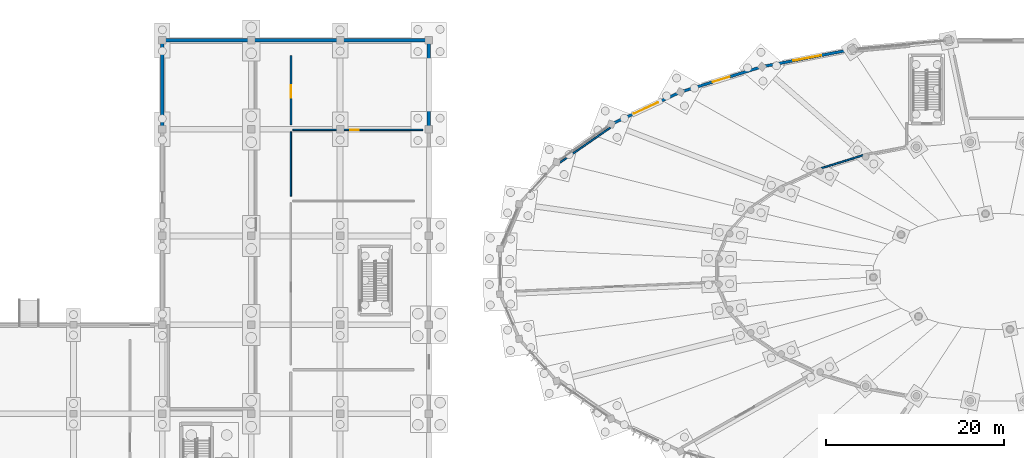
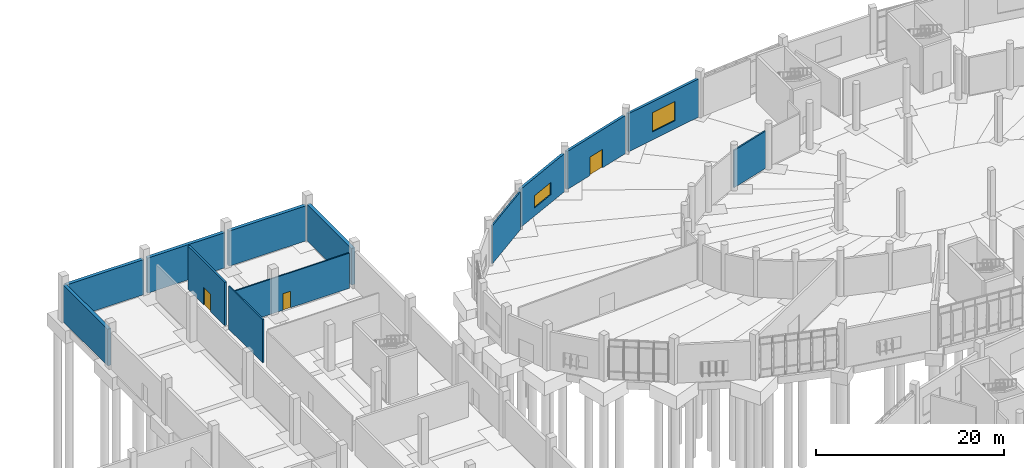
# One storey, part 94 of 140: 13 walls, 3 doors, 2 windows, 5 openings.
"""IFC4 building model written with IfcOpenShell, lengths in metres."""

from ifc_helpers import new_model, si_unit, direction, frame, frame_2d, origin, place, context, subcontext, project, spatial, rectangle, extrude, material, layer, layer_set, type_object, element, fill, save


model = new_model("IFC4")

# Units and contexts
model_context = context("Model", 3, precision=1e-05, world=origin(), true_north=direction((0.0, 1.0)))
body_context = subcontext(model_context, "Body", "Model", "MODEL_VIEW")
ifc_project = project(units=[si_unit("LENGTHUNIT", "METRE"), si_unit("AREAUNIT", "SQUARE_METRE"), si_unit("VOLUMEUNIT", "CUBIC_METRE"), si_unit("PLANEANGLEUNIT", "RADIAN"), si_unit("MASSUNIT", "GRAM", prefix="KILO")], contexts=[model_context])

# Site, building, storey
site_placement = place(None, origin())
site = spatial("IfcSite", under=ifc_project, at=site_placement, CompositionType="ELEMENT")
building_placement = place(site_placement, origin())
building = spatial("IfcBuilding", under=site, at=building_placement, Name="Corvandel Quay Wholesale Market", CompositionType="ELEMENT")
storey_placement = place(building_placement, origin())
storey = spatial("IfcBuildingStorey", under=building, at=storey_placement, Name="L00", CompositionType="ELEMENT", Elevation=0.0)

# Wall, opening, door
ifc_material_1 = material(Name="Lightweight concrete blockwork", Category="masonry")
ifc_layer_1 = layer(ifc_material_1, 0.239990234375)
ifc_layer_set_1 = layer_set([ifc_layer_1], Name="Lightweight concrete blockwork")
wall_type_1 = type_object("IfcWallType", Name="Fire Compartment Partition PT01 240", PredefinedType="PARTITIONING", material=ifc_layer_set_1)
wall_1_placement = place(storey_placement, frame((34.4599609375, 132.47998046875, 0.0), z_axis=(0.0, 0.0, 1.0), x_axis=(0.0, 1.0, 0.0)))
wall_1 = element("IfcWall", 1, at=wall_1_placement, inside=storey, type_object=wall_type_1, Name="Interior Wall IW-0787", PredefinedType="PARTITIONING", context=body_context, shape_type="SweptSolid", body=[
    extrude(rectangle(XDim=7.85009765625, YDim=0.239990234375, at=frame_2d((3.925048828125, 0.0))), origin(), (0.0, 0.0, 1.0), 5.6201171875),
])
opening_1_placement = place(wall_1_placement, frame((3.074951171875, 0.0, 0.0)))
opening_1 = element("IfcOpeningElement", 2, at=opening_1_placement, cuts=wall_1, Name="Opening L00-D119", PredefinedType="OPENING", context=body_context, shape_type="SweptSolid", body=[
    extrude(rectangle(XDim=1.39990234375, YDim=2.25, at=frame_2d((0.699951171875, 1.125))), frame((0.0, 0.1298828125, 0.0), z_axis=(0.0, -1.0, 0.0), x_axis=(1.0, 0.0, 0.0)), (0.0, 0.0, 1.0), 0.260009765625),
])
ifc_material_2 = material(Name="Acoustic louvred fire-rated steel", Category="steel")
door_type_1 = type_object("IfcDoorType", Name="Plant Room Fire Door ID15 1400x2250L", OperationType="SINGLE_SWING_LEFT", PredefinedType="DOOR", material=ifc_material_2)
door_1_placement = place(opening_1_placement, origin())
door_1 = element("IfcDoor", 3, at=door_1_placement, inside=storey, type_object=door_type_1, Name="Emergency Generator Room Door", OperationType="SINGLE_SWING_LEFT", OverallHeight=2.25, OverallWidth=1.39990234375, PredefinedType="DOOR", context=body_context, shape_type="SweptSolid", body=[
    extrude(rectangle(XDim=1.39990234375, YDim=2.25, at=frame_2d((0.699951171875, 1.125))), frame((0.0, 0.02490234375, 0.0), z_axis=(0.0, -1.0, 0.0), x_axis=(1.0, 0.0, 0.0)), (0.0, 0.0, 1.0), 0.050048828125),
])
fill(opening_1, door_1)

# Wall, opening, window
ifc_material_3 = material(Name="Marine precast concrete C45/55", Category="concrete")
ifc_layer_2 = layer(ifc_material_3, 0.31005859375)
ifc_layer_set_2 = layer_set([ifc_layer_2], Name="Marine precast concrete C45/55")
wall_type_2 = type_object("IfcWallType", Name="Fish Hall Marine Precast Wall EW06 310", PredefinedType="SOLIDWALL", material=ifc_layer_set_2)
wall_2_placement = place(storey_placement, frame((97.42919921875, 140.955810546875, 0.0), z_axis=(0.0, 0.0, 1.0), x_axis=(-0.981997121081, -0.188895881873, 0.0)))
wall_2 = element("IfcWall", 4, at=wall_2_placement, inside=storey, type_object=wall_type_2, Name="Exterior Wall EW-0108", PredefinedType="SOLIDWALL", context=body_context, shape_type="SweptSolid", body=[
    extrude(rectangle(XDim=9.897705078125, YDim=0.31005859375, at=frame_2d((4.94873046875, 0.0))), origin(), (0.0, 0.0, 1.0), 4.949951171875),
])
opening_2_placement = place(wall_2_placement, frame((3.34912109375, 0.0, 1.050048828125)))
opening_2 = element("IfcOpeningElement", 5, at=opening_2_placement, cuts=wall_2, Name="Opening L00-W056", PredefinedType="OPENING", context=body_context, shape_type="SweptSolid", body=[
    extrude(rectangle(XDim=3.199951171875, YDim=2.5, at=frame_2d((1.60009765625, 1.25))), frame((0.0, 0.1650390625, 0.0), z_axis=(0.0, -1.0, 0.0), x_axis=(1.0, 0.0, 0.0)), (0.0, 0.0, 1.0), 0.330078125),
])
ifc_material_4 = material(Name="Thermally broken bronze anodised aluminium and solar-control low-E double glazing", Category="aluminium")
window_type_1 = type_object("IfcWindowType", Name="Flower Market Display Window WN07 3200x2500", PartitioningType="SINGLE_PANEL", PredefinedType="WINDOW", material=ifc_material_4)
window_1_placement = place(opening_2_placement, origin())
window_1 = element("IfcWindow", 6, at=window_1_placement, inside=storey, type_object=window_type_1, Name="Window L00-W056", OverallHeight=2.5, OverallWidth=3.199951171875, PartitioningType="SINGLE_PANEL", PredefinedType="WINDOW", context=body_context, shape_type="SweptSolid", body=[
    extrude(rectangle(XDim=3.199951171875, YDim=2.5, at=frame_2d((1.60009765625, 1.25))), frame((0.0, 0.030029296875, 0.0), z_axis=(0.0, -1.0, 0.0), x_axis=(1.0, 0.0, 0.0)), (0.0, 0.0, 1.0), 0.06005859375),
])
fill(opening_2, window_1)

# Wall, opening, door
wall_3_placement = place(storey_placement, frame((87.244873046875, 138.969970703125, 0.0), z_axis=(0.0, 0.0, 1.0), x_axis=(-0.955105922322, -0.296264539128, 0.0)))
wall_3 = element("IfcWall", 7, at=wall_3_placement, inside=storey, type_object=wall_type_2, Name="Exterior Wall EW-0110", PredefinedType="SOLIDWALL", context=body_context, shape_type="SweptSolid", body=[
    extrude(rectangle(XDim=9.123291015625, YDim=0.31005859375, at=frame_2d((4.5615234375, 0.0))), origin(), (0.0, 0.0, 1.0), 4.949951171875),
])
opening_3_placement = place(wall_3_placement, frame((3.56201171875, 0.0, 0.0)))
opening_3 = element("IfcOpeningElement", 8, at=opening_3_placement, cuts=wall_3, Name="Opening L00-D018", PredefinedType="OPENING", context=body_context, shape_type="SweptSolid", body=[
    extrude(rectangle(XDim=2.0, YDim=2.39990234375, at=frame_2d((1.0, 1.199951171875))), frame((0.0, 0.1650390625, 0.0), z_axis=(0.0, -1.0, 0.0), x_axis=(1.0, 0.0, 0.0)), (0.0, 0.0, 1.0), 0.330078125),
])
ifc_material_5 = material(Name="Bronze anodised aluminium and laminated glass", Category="aluminium")
door_type_2 = type_object("IfcDoorType", Name="Concourse Double Exit Door ED02 2000x2400", OperationType="DOUBLE_DOOR_SINGLE_SWING", PredefinedType="DOOR", material=ifc_material_5)
door_2_placement = place(opening_3_placement, origin())
door_2 = element("IfcDoor", 9, at=door_2_placement, inside=storey, type_object=door_type_2, Name="Main Pedestrian Exit V2-10", OperationType="DOUBLE_DOOR_SINGLE_SWING", OverallHeight=2.39990234375, OverallWidth=2.0, PredefinedType="DOOR", context=body_context, shape_type="SweptSolid", body=[
    extrude(rectangle(XDim=2.0, YDim=2.39990234375, at=frame_2d((1.0, 1.199951171875))), frame((0.0, 0.02490234375, 0.0), z_axis=(0.0, -1.0, 0.0), x_axis=(1.0, 0.0, 0.0)), (0.0, 0.0, 1.0), 0.050048828125),
])
fill(opening_3, door_2)

# Wall, opening, window
wall_4_placement = place(storey_placement, frame((78.084228515625, 136.094970703125, 0.0), z_axis=(0.0, 0.0, 1.0), x_axis=(-0.906976563178, -0.421181093884, 0.0)))
wall_4 = element("IfcWall", 10, at=wall_4_placement, inside=storey, type_object=wall_type_2, Name="Exterior Wall EW-0113", PredefinedType="SOLIDWALL", context=body_context, shape_type="SweptSolid", body=[
    extrude(rectangle(XDim=8.119873046875, YDim=0.31005859375, at=frame_2d((4.06005859375, 0.0))), origin(), (0.0, 0.0, 1.0), 4.949951171875),
])
opening_4_placement = place(wall_4_placement, frame((2.56005859375, 0.0, 1.050048828125)))
opening_4 = element("IfcOpeningElement", 11, at=opening_4_placement, cuts=wall_4, Name="Opening L00-W057", PredefinedType="OPENING", context=body_context, shape_type="SweptSolid", body=[
    extrude(rectangle(XDim=3.0, YDim=1.60009765625, at=frame_2d((1.5, 0.800048828125))), frame((0.0, 0.1650390625, 0.0), z_axis=(0.0, -1.0, 0.0), x_axis=(1.0, 0.0, 0.0)), (0.0, 0.0, 1.0), 0.330078125),
])
window_type_2 = type_object("IfcWindowType", Name="Fish Hall High-Level Window WN06 3000x1600", PartitioningType="SINGLE_PANEL", PredefinedType="WINDOW", material=ifc_material_4)
window_2_placement = place(opening_4_placement, origin())
window_2 = element("IfcWindow", 12, at=window_2_placement, inside=storey, type_object=window_type_2, Name="Window L00-W057", OverallHeight=1.60009765625, OverallWidth=3.0, PartitioningType="SINGLE_PANEL", PredefinedType="WINDOW", context=body_context, shape_type="SweptSolid", body=[
    extrude(rectangle(XDim=3.0, YDim=1.60009765625, at=frame_2d((1.5, 0.800048828125))), frame((0.0, 0.030029296875, 0.0), z_axis=(0.0, -1.0, 0.0), x_axis=(1.0, 0.0, 0.0)), (0.0, 0.0, 1.0), 0.06005859375),
])
fill(opening_4, window_2)

# Walls
ifc_material_6 = material(Name="FRP-faced cementitious board stud wall")
ifc_layer_3 = layer(ifc_material_6, 0.179931640625)
ifc_layer_set_3 = layer_set([ifc_layer_3], Name="FRP-faced cementitious board stud wall")
wall_type_3 = type_object("IfcWallType", Name="Hygienic Washdown Partition PT05 180", PredefinedType="PARTITIONING", material=ifc_layer_set_3)
wall_5_placement = place(storey_placement, frame((64.727783203125, 128.24560546875, 0.0), z_axis=(0.0, 0.0, 1.0), x_axis=(0.821231355214, 0.570595356811, 0.0)))
element("IfcWall", 13, at=wall_5_placement, inside=storey, type_object=wall_type_3, Name="Interior Wall IW-0575", PredefinedType="PARTITIONING", context=body_context, shape_type="SweptSolid", body=[
    extrude(rectangle(XDim=6.969482421875, YDim=0.179931640625, at=frame_2d((3.48486328125, 0.0))), origin(), (0.0, 0.0, 1.0), 4.949951171875),
])
wall_6_placement = place(storey_placement, frame((98.86083984375, 129.086669921875, 0.0), z_axis=(0.0, 0.0, 1.0), x_axis=(-0.954956702237, -0.296745171575, 0.0)))
element("IfcWall", 14, at=wall_6_placement, inside=storey, type_object=wall_type_3, Name="Interior Wall IW-0579", PredefinedType="PARTITIONING", context=body_context, shape_type="SweptSolid", body=[
    extrude(rectangle(XDim=4.9716796875, YDim=0.179931640625, at=frame_2d((2.48583984375, 0.0))), origin(), (0.0, 0.0, 1.0), 4.85009765625),
])
ifc_material_7 = material(Name="Insulated precast concrete C45/55", Category="concrete")
ifc_layer_4 = layer(ifc_material_7, 0.39990234375)
ifc_layer_set_4 = layer_set([ifc_layer_4], Name="Insulated precast concrete C45/55")
wall_type_4 = type_object("IfcWallType", Name="Insulated Cold Store Envelope Wall EW03 400", PredefinedType="SOLIDWALL", material=ifc_layer_set_4)
for number, where, z_axis, x_axis, name in (
    (15, (20.0, 132.239990234375, 0.0), (0.0, 0.0, 1.0), (0.0, 1.0, 0.0), "Exterior Wall EW-0302"),
    (16, (50.0, 141.760009765625, 0.0), (0.0, 0.0, 1.0), (0.0, -1.0, 0.0), "Exterior Wall EW-0304"),
):
    element("IfcWall", number, at=place(storey_placement, frame(where, z_axis=z_axis, x_axis=x_axis)), inside=storey, type_object=wall_type_4, Name=name, PredefinedType="SOLIDWALL", context=body_context, shape_type="SweptSolid", body=[
        extrude(rectangle(XDim=9.52001953125, YDim=0.39990234375, at=frame_2d((4.760009765625, 0.0))), origin(), (0.0, 0.0, 1.0), 4.77001953125),
    ])
for number, where, z_axis, x_axis, name in (
    (17, (20.239990234375, 142.0, 0.0), (0.0, 0.0, 1.0), (1.0, 0.0, 0.0), "Exterior Wall EW-0308"),
    (18, (30.239990234375, 142.0, 0.0), (0.0, 0.0, 1.0), (1.0, 0.0, 0.0), "Exterior Wall EW-0316"),
    (19, (40.239990234375, 142.0, 0.0), (0.0, 0.0, 1.0), (1.0, 0.0, 0.0), "Exterior Wall EW-0324"),
):
    element("IfcWall", number, at=place(storey_placement, frame(where, z_axis=z_axis, x_axis=x_axis)), inside=storey, type_object=wall_type_4, Name=name, PredefinedType="SOLIDWALL", context=body_context, shape_type="SweptSolid", body=[
        extrude(rectangle(XDim=9.52001953125, YDim=0.39990234375, at=frame_2d((4.760009765625, 0.0))), origin(), (0.0, 0.0, 1.0), 4.570068359375),
    ])
ifc_material_8 = material(Name="Moisture-resistant tile-backer partition")
ifc_layer_5 = layer(ifc_material_8, 0.159912109375)
ifc_layer_set_5 = layer_set([ifc_layer_5], Name="Moisture-resistant tile-backer partition")
wall_type_5 = type_object("IfcWallType", Name="Sanitary Tile Partition PT06 160", PredefinedType="PARTITIONING", material=ifc_layer_set_5)
wall_7_placement = place(storey_placement, frame((34.4599609375, 124.47998046875, 0.0), z_axis=(0.0, 0.0, 1.0), x_axis=(0.0, 1.0, 0.0)))
element("IfcWall", 20, at=wall_7_placement, inside=storey, type_object=wall_type_5, Name="Interior Wall IW-0785", PredefinedType="PARTITIONING", context=body_context, shape_type="SweptSolid", body=[
    extrude(rectangle(XDim=7.239990234375, YDim=0.159912109375, at=frame_2d((3.6201171875, 0.0))), origin(), (0.0, 0.0, 1.0), 5.6201171875),
])

# Wall, opening, door
wall_8_placement = place(storey_placement, frame((34.679931640625, 131.93994140625, 0.0), z_axis=(0.0, 0.0, 1.0), x_axis=(1.0, 0.0, 0.0)))
wall_8 = element("IfcWall", 21, at=wall_8_placement, inside=storey, type_object=wall_type_5, Name="Interior Wall IW-0786", PredefinedType="PARTITIONING", context=body_context, shape_type="SweptSolid", body=[
    extrude(rectangle(XDim=14.64013671875, YDim=0.159912109375, at=frame_2d((7.320068359375, 0.0))), origin(), (0.0, 0.0, 1.0), 4.570068359375),
])
opening_5_placement = place(wall_8_placement, frame((6.469970703125, 0.0, 0.0)))
opening_5 = element("IfcOpeningElement", 22, at=opening_5_placement, cuts=wall_8, Name="Opening L00-D118", PredefinedType="OPENING", context=body_context, shape_type="SweptSolid", body=[
    extrude(rectangle(XDim=0.949951171875, YDim=2.14990234375, at=frame_2d((0.47509765625, 1.074951171875))), frame((0.0, 0.08984375, 0.0), z_axis=(0.0, -1.0, 0.0), x_axis=(1.0, 0.0, 0.0)), (0.0, 0.0, 1.0), 0.179931640625),
])
ifc_material_9 = material(Name="Moisture-resistant HPL solid core")
door_type_3 = type_object("IfcDoorType", Name="Accessible Restroom Door ID14 950x2150R", OperationType="SINGLE_SWING_RIGHT", PredefinedType="DOOR", material=ifc_material_9)
door_3_placement = place(opening_5_placement, origin())
door_3 = element("IfcDoor", 23, at=door_3_placement, inside=storey, type_object=door_type_3, Name="Public Accessible Toilet and Dock WC V4 Door", OperationType="SINGLE_SWING_RIGHT", OverallHeight=2.14990234375, OverallWidth=0.949951171875, PredefinedType="DOOR", context=body_context, shape_type="SweptSolid", body=[
    extrude(rectangle(XDim=0.949951171875, YDim=2.14990234375, at=frame_2d((0.47509765625, 1.074951171875))), frame((0.0, 0.02490234375, 0.0), z_axis=(0.0, -1.0, 0.0), x_axis=(1.0, 0.0, 0.0)), (0.0, 0.0, 1.0), 0.050048828125),
])
fill(opening_5, door_3)

save(model, "model.ifc")
